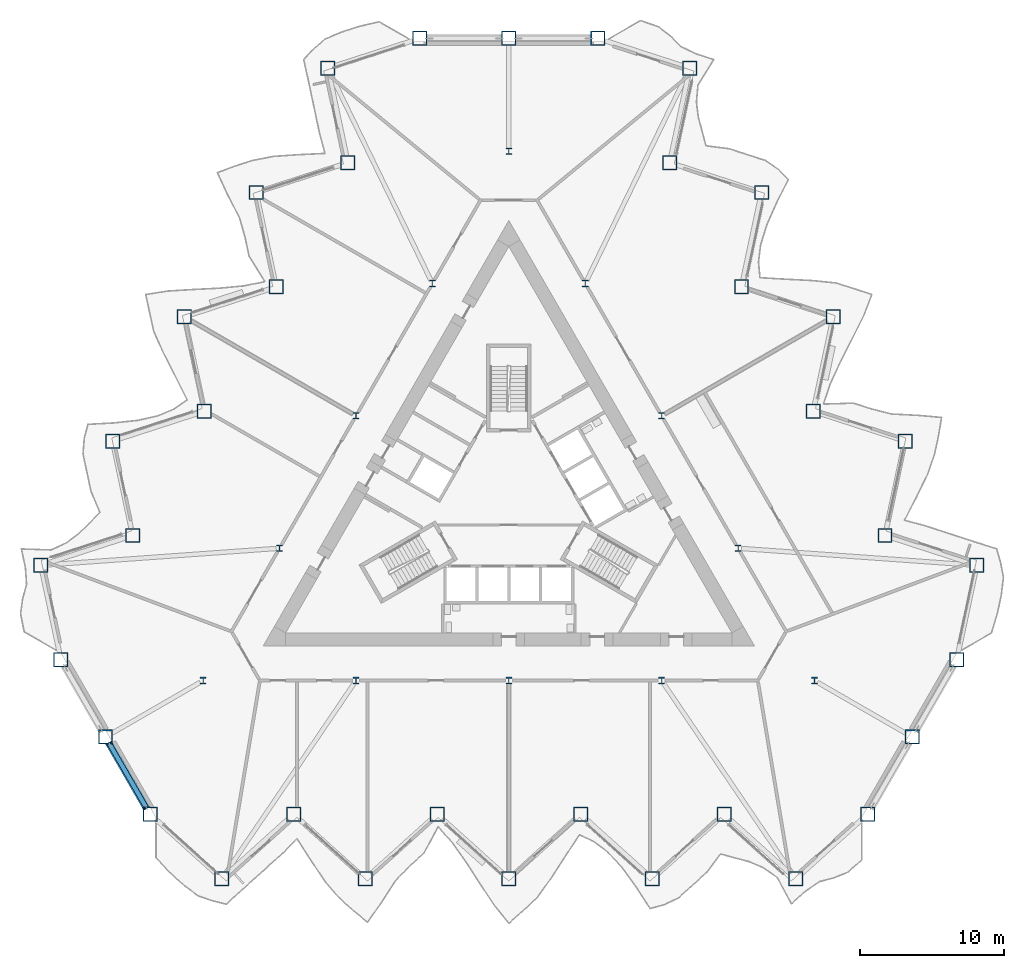
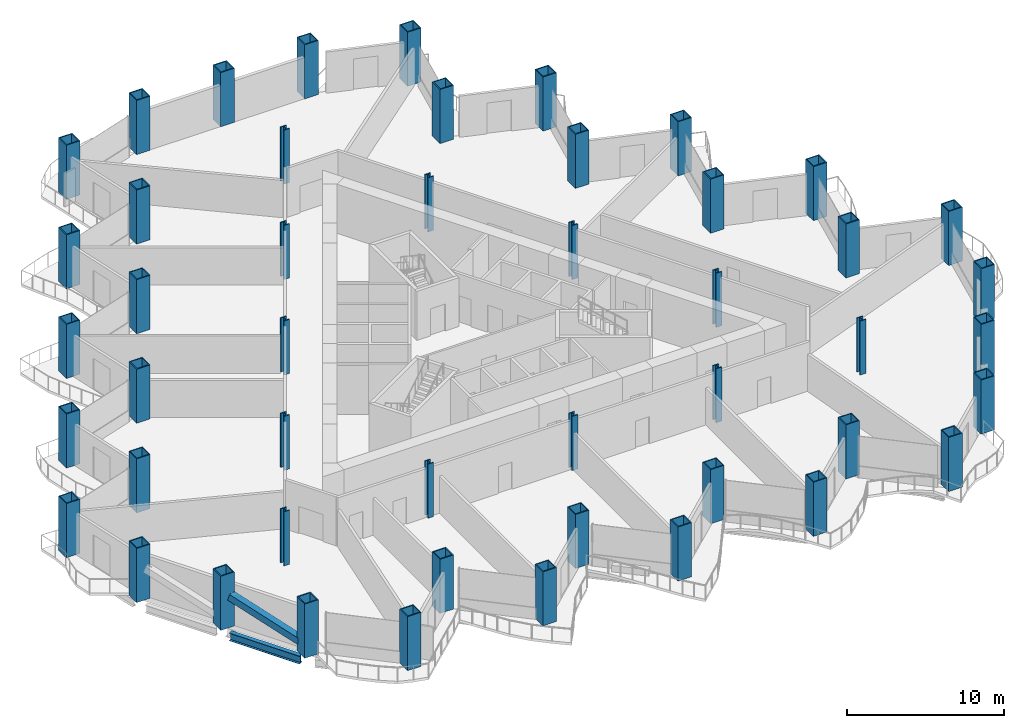
# One storey, part 1 of 20: 48 columns, 1 beam, 1 member.
"""IFC4 building model written with IfcOpenShell, lengths in metres."""

from ifc_helpers import new_model, si_unit, direction, frame, origin, origin_2d, place, context, subcontext, project, spatial, hollow_rectangle, i_section, extrude, material, material_profile, profile_set, type_object, element, save


model = new_model("IFC4")

# Units and contexts
model_context = context("Model", 3, precision=1e-05, world=origin(), true_north=direction((0.0, 1.0)))
body_context = subcontext(model_context, "Body", "Model", "MODEL_VIEW")
ifc_project = project(units=[si_unit("LENGTHUNIT", "METRE"), si_unit("AREAUNIT", "SQUARE_METRE"), si_unit("VOLUMEUNIT", "CUBIC_METRE"), si_unit("PLANEANGLEUNIT", "RADIAN"), si_unit("MASSUNIT", "GRAM", prefix="KILO")], contexts=[model_context])

# Site, building, storey
site_placement = place(None, origin())
site = spatial("IfcSite", under=ifc_project, at=site_placement, CompositionType="ELEMENT")
building_placement = place(site_placement, origin())
building = spatial("IfcBuilding", under=site, at=building_placement, Name="Cormorant Prow Tower", CompositionType="ELEMENT")
storey_placement = place(building_placement, frame((0.0, 0.0, 63.60009765625)))
storey = spatial("IfcBuildingStorey", under=building, at=storey_placement, Name="L13", CompositionType="ELEMENT", Elevation=63.60009765625)

# Columns
ifc_material_1 = material(Name="Structural steel ASTM A572 Gr 50", Category="steel")
ifc_material_profile_1 = material_profile(ifc_material_1, hollow_rectangle(XDim=1.0, YDim=1.0, WallThickness=0.070068359375, at=origin_2d()), Name="Box 1000x1000x70")
ifc_profile_set_1 = profile_set([ifc_material_profile_1], Name="Structural steel ASTM A572 Gr 50")
column_type_1 = type_object("IfcColumnType", Name="Perimeter box column 1000x1000x70", PredefinedType="COLUMN", material=ifc_profile_set_1)
for number, where, z_axis, x_axis, name in (
    (1, (-24.830322265625, -21.4599609375, 0.0), (0.0, 0.0, 1.0), (1.0, 0.0, 0.0), "Perimeter column C2 at S00 L13"),
    (2, (-19.8642578125, -25.931396484375, 0.0), (0.0, 0.0, 1.0), (1.0, 0.0, 0.0), "Perimeter column C2 at S01 L13"),
    (3, (-14.898193359375, -21.4599609375, 0.0), (0.0, 0.0, 1.0), (1.0, 0.0, 0.0), "Perimeter column C2 at S02 L13"),
    (4, (-9.93212890625, -25.931396484375, 0.0), (0.0, 0.0, 1.0), (1.0, 0.0, 0.0), "Perimeter column C2 at S03 L13"),
    (5, (-4.966064453125, -21.4599609375, 0.0), (0.0, 0.0, 1.0), (1.0, 0.0, 0.0), "Perimeter column C2 at S04 L13"),
    (6, (0.0, -25.931396484375, 0.0), (0.0, 0.0, 1.0), (1.0, 0.0, 0.0), "Perimeter column C2 at S05 L13"),
    (7, (4.966064453125, -21.4599609375, 0.0), (0.0, 0.0, 1.0), (1.0, 0.0, 0.0), "Perimeter column C2 at S06 L13"),
    (8, (9.93212890625, -25.931396484375, 0.0), (0.0, 0.0, 1.0), (1.0, 0.0, 0.0), "Perimeter column C2 at S07 L13"),
    (9, (14.898193359375, -21.4599609375, 0.0), (0.0, 0.0, 1.0), (1.0, 0.0, 0.0), "Perimeter column C2 at S08 L13"),
    (10, (19.8642578125, -25.931396484375, 0.0), (0.0, 0.0, 1.0), (1.0, 0.0, 0.0), "Perimeter column C2 at S09 L13"),
    (11, (24.830322265625, -21.4599609375, 0.0), (0.0, 0.0, 1.0), (1.0, 0.0, 0.0), "Perimeter column C2 at ESE00 L13"),
    (12, (27.915283203125, -16.116943359375, 0.0), (0.0, 0.0, 1.0), (1.0, 0.0, 0.0), "Perimeter column C2 at ESE01 L13"),
    (13, (31.0, -10.773681640625, 0.0), (0.0, 0.0, 1.0), (1.0, 0.0, 0.0), "Perimeter column C2 at ENE00 L13"),
    (14, (32.389404296875, -4.2373046875, 0.0), (0.0, 0.0, 1.0), (1.0, 0.0, 0.0), "Perimeter column C2 at ENE01 L13"),
    (15, (26.033935546875, -2.17236328125, 0.0), (0.0, 0.0, 1.0), (1.0, 0.0, 0.0), "Perimeter column C2 at ENE02 L13"),
    (16, (27.42333984375, 4.3642578125, 0.0), (0.0, 0.0, 1.0), (1.0, 0.0, 0.0), "Perimeter column C2 at ENE03 L13"),
    (17, (21.06787109375, 6.42919921875, 0.0), (0.0, 0.0, 1.0), (1.0, 0.0, 0.0), "Perimeter column C2 at ENE04 L13"),
    (18, (22.457275390625, 12.965576171875, 0.0), (0.0, 0.0, 1.0), (1.0, 0.0, 0.0), "Perimeter column C2 at ENE05 L13"),
    (19, (16.101806640625, 15.03076171875, 0.0), (0.0, 0.0, 1.0), (1.0, 0.0, 0.0), "Perimeter column C2 at ENE06 L13"),
    (20, (17.4912109375, 21.567138671875, 0.0), (0.0, 0.0, 1.0), (1.0, 0.0, 0.0), "Perimeter column C2 at ENE07 L13"),
    (21, (11.1357421875, 23.632080078125, 0.0), (0.0, 0.0, 1.0), (1.0, 0.0, 0.0), "Perimeter column C2 at ENE08 L13"),
    (22, (12.525146484375, 30.168701171875, 0.0), (0.0, 0.0, 1.0), (1.0, 0.0, 0.0), "Perimeter column C2 at ENE09 L13"),
    (23, (6.169677734375, 32.233642578125, 0.0), (0.0, 0.0, 1.0), (1.0, 0.0, 0.0), "Perimeter column C2 at N00 L13"),
    (24, (0.0, 32.233642578125, 0.0), (0.0, 0.0, 1.0), (1.0, 0.0, 0.0), "Perimeter column C2 at N01 L13"),
    (25, (-6.169677734375, 32.233642578125, 0.0), (0.0, 0.0, 1.0), (1.0, 0.0, 0.0), "Perimeter column C2 at WNW00 L13"),
    (26, (-12.525146484375, 30.168701171875, 0.0), (0.0, 0.0, 1.0), (1.0, 0.0, 0.0), "Perimeter column C2 at WNW01 L13"),
    (27, (-11.1357421875, 23.632080078125, 0.0), (0.0, 0.0, 1.0), (1.0, 0.0, 0.0), "Perimeter column C2 at WNW02 L13"),
    (28, (-17.4912109375, 21.567138671875, 0.0), (0.0, 0.0, 1.0), (1.0, 0.0, 0.0), "Perimeter column C2 at WNW03 L13"),
    (29, (-16.101806640625, 15.03076171875, 0.0), (0.0, 0.0, 1.0), (1.0, 0.0, 0.0), "Perimeter column C2 at WNW04 L13"),
    (30, (-22.457275390625, 12.965576171875, 0.0), (0.0, 0.0, 1.0), (1.0, 0.0, 0.0), "Perimeter column C2 at WNW05 L13"),
    (31, (-21.06787109375, 6.42919921875, 0.0), (0.0, 0.0, 1.0), (1.0, 0.0, 0.0), "Perimeter column C2 at WNW06 L13"),
    (32, (-27.42333984375, 4.3642578125, 0.0), (0.0, 0.0, 1.0), (1.0, 0.0, 0.0), "Perimeter column C2 at WNW07 L13"),
    (33, (-26.033935546875, -2.17236328125, 0.0), (0.0, 0.0, 1.0), (1.0, 0.0, 0.0), "Perimeter column C2 at WNW08 L13"),
    (34, (-32.389404296875, -4.2373046875, 0.0), (0.0, 0.0, 1.0), (1.0, 0.0, 0.0), "Perimeter column C2 at WNW09 L13"),
    (35, (-31.0, -10.773681640625, 0.0), (0.0, 0.0, 1.0), (1.0, 0.0, 0.0), "Perimeter column C2 at WSW00 L13"),
    (36, (-27.915283203125, -16.116943359375, 0.0), (0.0, 0.0, 1.0), (1.0, 0.0, 0.0), "Perimeter column C2 at WSW01 L13"),
):
    element("IfcColumn", number, at=place(storey_placement, frame(where, z_axis=z_axis, x_axis=x_axis)), inside=storey, type_object=column_type_1, Name=name, PredefinedType="COLUMN", context=body_context, shape_type="SweptSolid", body=[
        extrude(hollow_rectangle(XDim=1.0, YDim=1.0, WallThickness=0.070068359375, at=origin_2d()), origin(), (0.0, 0.0, 1.0), 4.199951171875),
    ])
ifc_material_2 = material(Name="Structural steel ASTM A992 Gr 50", Category="steel")
ifc_material_profile_2 = material_profile(ifc_material_2, i_section(OverallWidth=0.42138671875, OverallDepth=0.464599609375, WebThickness=0.044921875, FlangeThickness=0.072265625, at=origin_2d()), Name="W14x398")
ifc_profile_set_2 = profile_set([ifc_material_profile_2], Name="Structural steel ASTM A992 Gr 50")
column_type_2 = type_object("IfcColumnType", Name="Ring column W14x398", PredefinedType="COLUMN", material=ifc_profile_set_2)
for number, where, z_axis, x_axis, name in (
    (37, (0.0, 24.429931640625, 0.0), (0.0, 0.0, 1.0), (1.0, 0.0, 0.0), "Ring column 1 L13"),
    (38, (-5.289306640625, 15.268798828125, 0.0), (0.0, 0.0, 1.0), (1.0, 0.0, 0.0), "Ring column 2 L13"),
    (39, (-10.578369140625, 6.107421875, 0.0), (0.0, 0.0, 1.0), (1.0, 0.0, 0.0), "Ring column 3 L13"),
    (40, (-15.86767578125, -3.0537109375, 0.0), (0.0, 0.0, 1.0), (1.0, 0.0, 0.0), "Ring column 4 L13"),
    (41, (-21.156982421875, -12.21484375, 0.0), (0.0, 0.0, 1.0), (1.0, 0.0, 0.0), "Ring column 5 L13"),
    (42, (-10.578369140625, -12.21484375, 0.0), (0.0, 0.0, 1.0), (1.0, 0.0, 0.0), "Ring column 6 L13"),
    (43, (0.0, -12.21484375, 0.0), (0.0, 0.0, 1.0), (1.0, 0.0, 0.0), "Ring column 7 L13"),
    (44, (10.578369140625, -12.21484375, 0.0), (0.0, 0.0, 1.0), (1.0, 0.0, 0.0), "Ring column 8 L13"),
    (45, (21.156982421875, -12.21484375, 0.0), (0.0, 0.0, 1.0), (1.0, 0.0, 0.0), "Ring column 9 L13"),
    (46, (15.86767578125, -3.0537109375, 0.0), (0.0, 0.0, 1.0), (1.0, 0.0, 0.0), "Ring column 10 L13"),
    (47, (10.578369140625, 6.107421875, 0.0), (0.0, 0.0, 1.0), (1.0, 0.0, 0.0), "Ring column 11 L13"),
    (48, (5.289306640625, 15.268798828125, 0.0), (0.0, 0.0, 1.0), (1.0, 0.0, 0.0), "Ring column 12 L13"),
):
    element("IfcColumn", number, at=place(storey_placement, frame(where, z_axis=z_axis, x_axis=x_axis)), inside=storey, type_object=column_type_2, Name=name, PredefinedType="COLUMN", context=body_context, shape_type="SweptSolid", body=[
        extrude(i_section(OverallWidth=0.42138671875, OverallDepth=0.464599609375, WebThickness=0.044921875, FlangeThickness=0.072265625, at=origin_2d()), origin(), (0.0, 0.0, 1.0), 4.199951171875),
    ])

# Member
ifc_material_3 = material(Name="Structural steel ASTM A500 Gr C", Category="steel")
ifc_material_profile_3 = material_profile(ifc_material_3, hollow_rectangle(XDim=0.508056640625, YDim=0.508056640625, WallThickness=0.014892578125, at=origin_2d()), Name="HSS20x20x5/8")
ifc_profile_set_3 = profile_set([ifc_material_profile_3], Name="Structural steel ASTM A500 Gr C")
member_type = type_object("IfcMemberType", Name="Chamfer brace HSS20x20x5/8", PredefinedType="BRACE", material=ifc_profile_set_3)
member_placement = place(storey_placement, frame((-25.089599609375, -21.0107421875, 0.76708984375), z_axis=(-0.47589308504, 0.824244468952, 0.306833549359), x_axis=(-0.866018434186, -0.500012071504, 0.0)))
element("IfcMember", 49, at=member_placement, inside=storey, type_object=member_type, Name="Chamfer brace BR1 at WSW01 L13", PredefinedType="BRACE", context=body_context, shape_type="SweptSolid", body=[
    extrude(hollow_rectangle(XDim=0.508056640625, YDim=0.508056640625, WallThickness=0.014892578125, at=origin_2d()), origin(), (0.0, 0.0, 1.0), 5.392333984375),
])

# Beam
ifc_material_4 = material(Name="Structural steel ASTM A992 Gr 50", Category="steel")
ifc_material_profile_4 = material_profile(ifc_material_4, i_section(OverallWidth=0.32373046875, OverallDepth=0.611083984375, WebThickness=0.0126953125, FlangeThickness=0.01904296875, at=origin_2d()), Name="W24x104")
ifc_profile_set_4 = profile_set([ifc_material_profile_4], Name="Structural steel ASTM A992 Gr 50")
beam_type = type_object("IfcBeamType", Name="Spandrel beam W24x104", PredefinedType="SPANDREL", material=ifc_profile_set_4)
beam_placement = place(storey_placement, frame((-27.665283203125, -16.5498046875, -0.70556640625), z_axis=(0.500019507279, -0.866014140959, 0.0), x_axis=(0.866014140959, 0.500019507279, 0.0)))
element("IfcBeam", 50, at=beam_placement, inside=storey, type_object=beam_type, Name="Spandrel beam SB1 WSW01-S00 L13", PredefinedType="SPANDREL", context=body_context, shape_type="SweptSolid", body=[
    extrude(i_section(OverallWidth=0.32373046875, OverallDepth=0.611083984375, WebThickness=0.0126953125, FlangeThickness=0.01904296875, at=origin_2d()), origin(), (0.0, 0.0, 1.0), 5.169677734375),
])

save(model, "model.ifc")
